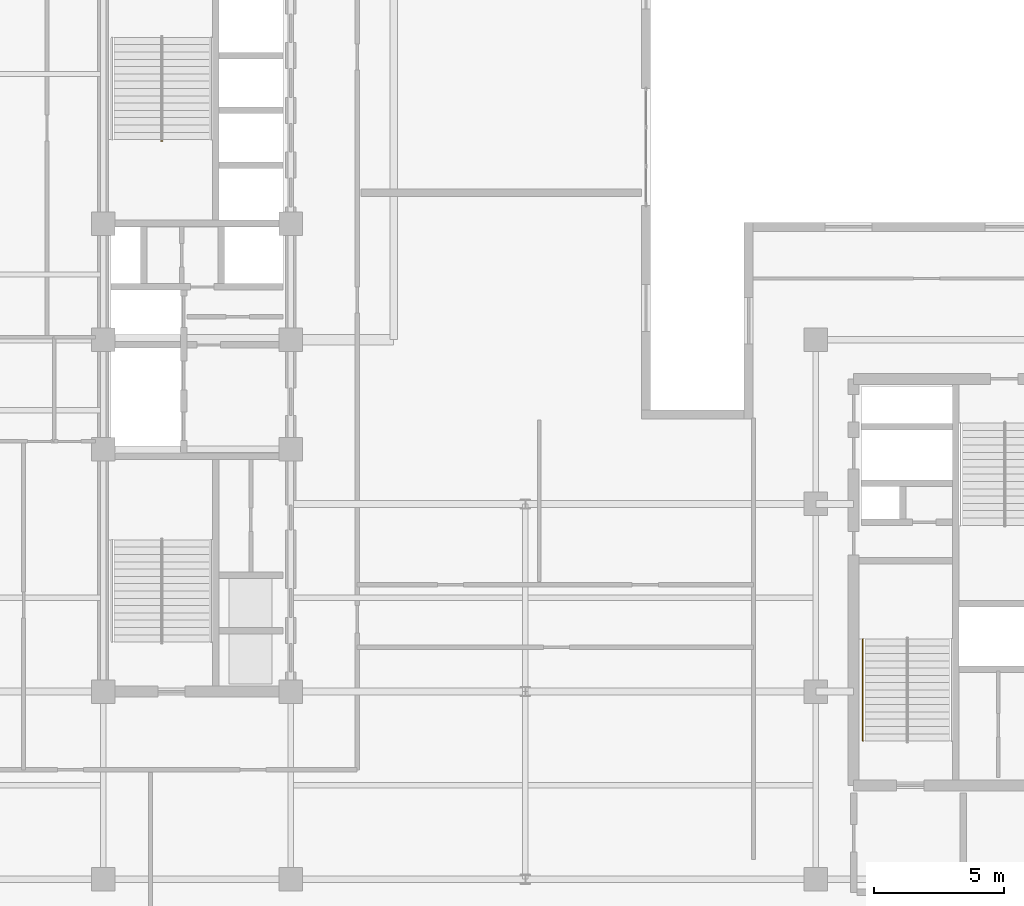
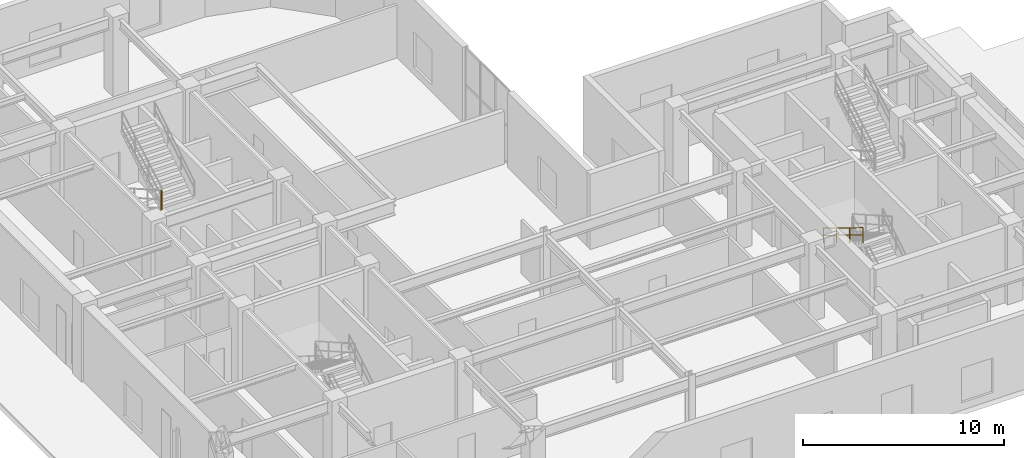
# One storey, part 13 of 16: 2 railings.
"""IFC4 building model written with IfcOpenShell, lengths in metres."""

from ifc_helpers import new_model, entity, si_unit, converted_unit, direction, frame, origin_with_axes, origin_2d_with_axis, place, context, subcontext, project, spatial, rectangle, circle, extrude, material, type_object, element, save


model = new_model("IFC4")

# Units and contexts
model_context = context("Model", 3, precision=1e-05, world=origin_with_axes(), true_north=direction((0.0, 1.0)))
body_context = subcontext(model_context, "Body", "Model", "MODEL_VIEW")
ifc_project = project(units=[si_unit("LENGTHUNIT", "METRE"), si_unit("AREAUNIT", "SQUARE_METRE"), si_unit("VOLUMEUNIT", "CUBIC_METRE"), converted_unit("PLANEANGLEUNIT", "DEGREE", entity("IfcPlaneAngleMeasure", 0.017453292519943295), si_unit("PLANEANGLEUNIT", "RADIAN"), dimensions=[0, 0, 0, 0, 0, 0, 0]), si_unit("MASSUNIT", "GRAM", prefix="KILO"), si_unit("THERMODYNAMICTEMPERATUREUNIT", "KELVIN")], contexts=[model_context])

# Site, building, storey
site_placement = place(None, origin_with_axes())
site = spatial("IfcSite", under=ifc_project, at=site_placement, CompositionType="ELEMENT")
building_placement = place(site_placement, origin_with_axes())
building = spatial("IfcBuilding", under=site, at=building_placement, Name="Varnlund Millrace Tower", CompositionType="ELEMENT")
storey_placement = place(building_placement, frame((0.0, 0.0, 219.9), z_axis=(0.0, 0.0, 1.0), x_axis=(1.0, 0.0, 0.0)))
storey = spatial("IfcBuildingStorey", under=building, at=storey_placement, Name="L54", CompositionType="ELEMENT", Elevation=219.9)

# Railings
ifc_material_1 = material(Name="Painted steel stair well balustrade guard", Category="steel")
railing_type_1 = type_object("IfcRailingType", Name="Type-StairGuard-1150", PredefinedType="GUARDRAIL", material=ifc_material_1)
railing_1_placement = place(storey_placement, frame((0.0, 0.0, -219.9), z_axis=(0.0, 0.0, 1.0), x_axis=(1.0, 0.0, 0.0)))
element("IfcRailing", 1, at=railing_1_placement, inside=storey, type_object=railing_type_1, Name="Type-StairGuard-1150", PredefinedType="GUARDRAIL", context=body_context, shape_type="SweptSolid", body=[
    extrude(circle(Radius=0.024, at=origin_2d_with_axis()), frame((13.675, 31.93, 223.45), z_axis=(-1.0, 0.0, 0.0), x_axis=(0.0, -1.0, 0.0)), (0.0, 0.0, 1.0), 0.05),
    extrude(circle(Radius=0.024, at=origin_2d_with_axis()), frame((13.675, 31.93, 222.4), z_axis=(-1.0, 0.0, 0.0), x_axis=(0.0, -1.0, 0.0)), (0.0, 0.0, 1.0), 0.05),
    extrude(circle(Radius=0.024, at=origin_2d_with_axis()), frame((13.675, 31.93, 222.898), z_axis=(-1.0, 0.0, 0.0), x_axis=(0.0, -1.0, 0.0)), (0.0, 0.0, 1.0), 0.05),
    extrude(rectangle(XDim=0.04, YDim=0.04, at=origin_2d_with_axis()), frame((13.675, 31.93, 222.26), z_axis=(0.0, 0.0, 1.0), x_axis=(1.0, 0.0, 0.0)), (0.0, 0.0, 1.0), 1.19),
    extrude(rectangle(XDim=0.04, YDim=0.04, at=origin_2d_with_axis()), frame((13.625, 31.93, 222.26), z_axis=(0.0, 0.0, 1.0), x_axis=(1.0, 0.0, 0.0)), (0.0, 0.0, 1.0), 1.19),
])
ifc_material_2 = material(Name="Brushed architectural bronze stair handrail", Category="aluminium")
railing_type_2 = type_object("IfcRailingType", Name="Type-StairHandrail-900", PredefinedType="HANDRAIL", material=ifc_material_2)
railing_2_placement = place(storey_placement, frame((0.0, 0.0, -219.9), z_axis=(0.0, 0.0, 1.0), x_axis=(1.0, 0.0, 0.0)))
element("IfcRailing", 2, at=railing_2_placement, inside=storey, type_object=railing_type_2, Name="Type-StairHandrail-900", PredefinedType="HANDRAIL", context=body_context, shape_type="SweptSolid", body=[
    extrude(circle(Radius=0.024, at=origin_2d_with_axis()), frame((40.55, 12.82, 223.350961), z_axis=(0.0, -0.852851, 0.522154), x_axis=(1.0, 0.0, 0.0)), (0.0, 0.0, 1.0), 4.596346),
    extrude(circle(Radius=0.024, at=origin_2d_with_axis()), frame((40.55, 12.82, 222.911195), z_axis=(0.0, -0.852851, 0.522154), x_axis=(1.0, 0.0, 0.0)), (0.0, 0.0, 1.0), 4.596346),
    extrude(rectangle(XDim=0.04, YDim=0.04, at=origin_2d_with_axis()), frame((40.55, 12.82, 222.431429), z_axis=(0.0, 0.0, 1.0), x_axis=(1.0, 0.0, 0.0)), (0.0, 0.0, 1.0), 0.919532),
    extrude(rectangle(XDim=0.04, YDim=0.04, at=origin_2d_with_axis()), frame((40.55, 11.513333, 223.231429), z_axis=(0.0, 0.0, 1.0), x_axis=(1.0, 0.0, 0.0)), (0.0, 0.0, 1.0), 0.919532),
    extrude(rectangle(XDim=0.04, YDim=0.04, at=origin_2d_with_axis()), frame((40.55, 10.206667, 224.031429), z_axis=(0.0, 0.0, 1.0), x_axis=(1.0, 0.0, 0.0)), (0.0, 0.0, 1.0), 0.919532),
    extrude(rectangle(XDim=0.04, YDim=0.04, at=origin_2d_with_axis()), frame((40.55, 8.9, 224.831429), z_axis=(0.0, 0.0, 1.0), x_axis=(1.0, 0.0, 0.0)), (0.0, 0.0, 1.0), 0.919532),
])

save(model, "model.ifc")
